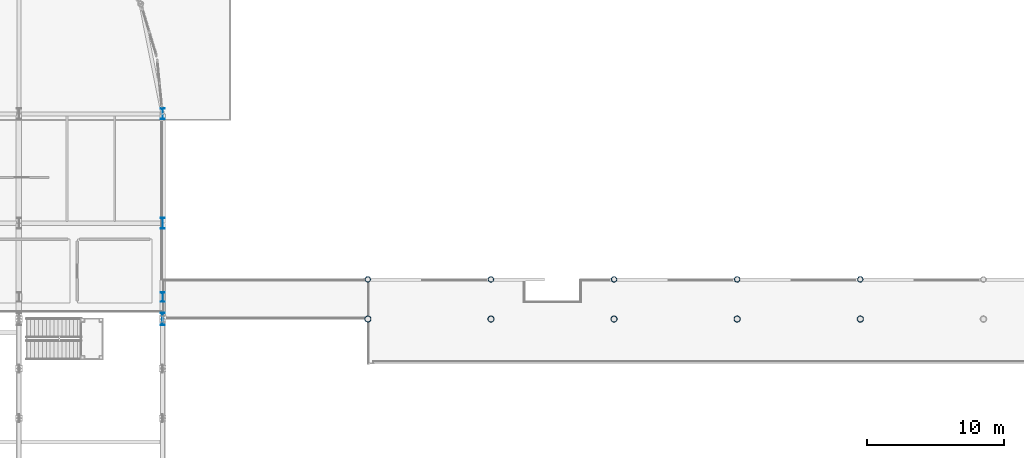
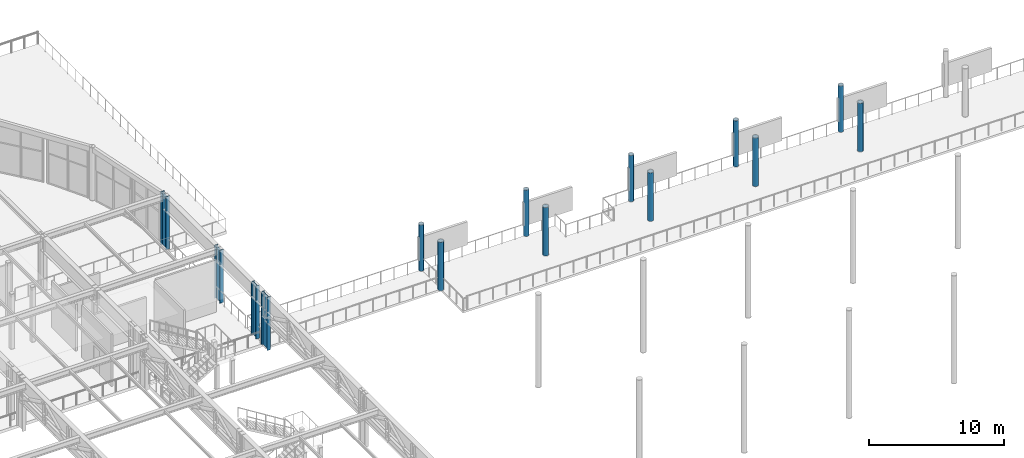
# One storey, part 23 of 143: 14 columns.
"""IFC4 building model written with IfcOpenShell, lengths in metres."""

from ifc_helpers import new_model, si_unit, direction, frame, origin, origin_2d, place, context, subcontext, project, spatial, hollow_circle, i_section, extrude, material, material_profile, profile_set, type_object, element, save


model = new_model("IFC4")

# Units and contexts
model_context = context("Model", 3, precision=1e-05, world=origin(), true_north=direction((0.0, 1.0)))
body_context = subcontext(model_context, "Body", "Model", "MODEL_VIEW")
ifc_project = project(units=[si_unit("LENGTHUNIT", "METRE"), si_unit("AREAUNIT", "SQUARE_METRE"), si_unit("VOLUMEUNIT", "CUBIC_METRE"), si_unit("PLANEANGLEUNIT", "RADIAN"), si_unit("MASSUNIT", "GRAM", prefix="KILO")], contexts=[model_context])

# Site, building, storey
site_placement = place(None, origin())
site = spatial("IfcSite", under=ifc_project, at=site_placement, CompositionType="ELEMENT")
building_placement = place(site_placement, origin())
building = spatial("IfcBuilding", under=site, at=building_placement, Name="Marlcrest Central Station", CompositionType="ELEMENT")
storey_placement = place(building_placement, frame((0.0, 0.0, 4.800048828125)))
storey = spatial("IfcBuildingStorey", under=building, at=storey_placement, Name="L01", CompositionType="ELEMENT", Elevation=4.800048828125)

# Columns
ifc_material = material(Name="Steel S355", Category="steel")
ifc_material_profile_1 = material_profile(ifc_material, i_section(OverallWidth=0.300048828125, OverallDepth=0.699951171875, WebThickness=0.01708984375, FlangeThickness=0.031982421875, FilletRadius=0.027099609375, at=origin_2d()), Name="HEB 700")
ifc_profile_set_1 = profile_set([ifc_material_profile_1], Name="Steel S355")
column_type_1 = type_object("IfcColumnType", Name="SC-07", PredefinedType="COLUMN", material=ifc_profile_set_1)
column_1_placement = place(storey_placement, frame((129.0, 97.10009765625, 0.0), z_axis=(0.0, 0.0, 1.0), x_axis=(1.0, 0.0, 0.0)))
element("IfcColumn", 1, at=column_1_placement, inside=storey, type_object=column_type_1, Name="col-SC-07-L01-0897", PredefinedType="COLUMN", context=body_context, shape_type="SweptSolid", body=[
    extrude(i_section(OverallWidth=0.300048828125, OverallDepth=0.699951171875, WebThickness=0.01708984375, FlangeThickness=0.031982421875, FilletRadius=0.027099609375, at=origin_2d()), origin(), (0.0, 0.0, 1.0), 4.81494140625),
])
ifc_material_profile_2 = material_profile(ifc_material, i_section(OverallWidth=0.300048828125, OverallDepth=0.800048828125, WebThickness=0.017578125, FlangeThickness=0.032958984375, FilletRadius=0.030029296875, at=origin_2d()), Name="HEB 800")
ifc_profile_set_2 = profile_set([ifc_material_profile_2], Name="Steel S355")
column_type_2 = type_object("IfcColumnType", Name="SC-08", PredefinedType="COLUMN", material=ifc_profile_set_2)
for number, where, z_axis, x_axis, name in (
    (2, (129.0, 102.5, 0.0), (0.0, 0.0, 1.0), (1.0, 0.0, 0.0), "col-SC-08-L01-0760"),
    (3, (129.0, 110.5, 0.0), (0.0, 0.0, 1.0), (1.0, 0.0, 0.0), "col-SC-08-L01-0778"),
):
    element("IfcColumn", number, at=place(storey_placement, frame(where, z_axis=z_axis, x_axis=x_axis)), inside=storey, type_object=column_type_2, Name=name, PredefinedType="COLUMN", context=body_context, shape_type="SweptSolid", body=[
        extrude(i_section(OverallWidth=0.300048828125, OverallDepth=0.800048828125, WebThickness=0.017578125, FlangeThickness=0.032958984375, FilletRadius=0.030029296875, at=origin_2d()), origin(), (0.0, 0.0, 1.0), 4.81494140625),
    ])
ifc_material_profile_3 = material_profile(ifc_material, i_section(OverallWidth=0.300048828125, OverallDepth=0.89990234375, WebThickness=0.0185546875, FlangeThickness=0.034912109375, FilletRadius=0.030029296875, at=origin_2d()), Name="HEB 900")
ifc_profile_set_3 = profile_set([ifc_material_profile_3], Name="Steel S355")
column_type_3 = type_object("IfcColumnType", Name="SC-09", PredefinedType="COLUMN", material=ifc_profile_set_3)
column_2_placement = place(storey_placement, frame((129.0, 95.5, 0.0), z_axis=(0.0, 0.0, 1.0), x_axis=(1.0, 0.0, 0.0)))
element("IfcColumn", 4, at=column_2_placement, inside=storey, type_object=column_type_3, Name="col-SC-09-L01-0666", PredefinedType="COLUMN", context=body_context, shape_type="SweptSolid", body=[
    extrude(i_section(OverallWidth=0.300048828125, OverallDepth=0.89990234375, WebThickness=0.0185546875, FlangeThickness=0.034912109375, FilletRadius=0.030029296875, at=origin_2d()), origin(), (0.0, 0.0, 1.0), 4.81494140625),
])
ifc_material_profile_4 = material_profile(ifc_material, hollow_circle(Radius=0.203125, WallThickness=0.02001953125, at=origin_2d()), Name="CHS 406.4x20")
ifc_profile_set_4 = profile_set([ifc_material_profile_4], Name="Steel S355")
column_type_4 = type_object("IfcColumnType", Name="SC-10", PredefinedType="COLUMN", material=ifc_profile_set_4)
for number, where, z_axis, x_axis, name in (
    (5, (144.0, 98.39990234375, 0.0), (0.0, 0.0, 1.0), (1.0, 0.0, 0.0), "col-SC-10-L01-0503"),
    (6, (153.0, 98.39990234375, 0.0), (0.0, 0.0, 1.0), (1.0, 0.0, 0.0), "col-SC-10-L01-0504"),
    (7, (162.0, 98.39990234375, 0.0), (0.0, 0.0, 1.0), (1.0, 0.0, 0.0), "col-SC-10-L01-0505"),
    (8, (171.0, 98.39990234375, 0.0), (0.0, 0.0, 1.0), (1.0, 0.0, 0.0), "col-SC-10-L01-0506"),
    (9, (180.0, 98.39990234375, 0.0), (0.0, 0.0, 1.0), (1.0, 0.0, 0.0), "col-SC-10-L01-0507"),
):
    element("IfcColumn", number, at=place(storey_placement, frame(where, z_axis=z_axis, x_axis=x_axis)), inside=storey, type_object=column_type_4, Name=name, PredefinedType="COLUMN", context=body_context, shape_type="SweptSolid", body=[
        extrude(hollow_circle(Radius=0.203125, WallThickness=0.02001953125, at=origin_2d()), origin(), (0.0, 0.0, 1.0), 4.199951171875),
    ])
ifc_material_profile_5 = material_profile(ifc_material, hollow_circle(Radius=0.228515625, WallThickness=0.02001953125, at=origin_2d()), Name="CHS 457x20")
ifc_profile_set_5 = profile_set([ifc_material_profile_5], Name="Steel S355")
column_type_5 = type_object("IfcColumnType", Name="SC-11", PredefinedType="COLUMN", material=ifc_profile_set_5)
for number, where, z_axis, x_axis, name in (
    (10, (144.0, 95.5, 0.0), (0.0, 0.0, 1.0), (1.0, 0.0, 0.0), "col-SC-11-L01-0521"),
    (11, (153.0, 95.5, 0.0), (0.0, 0.0, 1.0), (1.0, 0.0, 0.0), "col-SC-11-L01-0532"),
    (12, (162.0, 95.5, 0.0), (0.0, 0.0, 1.0), (1.0, 0.0, 0.0), "col-SC-11-L01-0543"),
    (13, (171.0, 95.5, 0.0), (0.0, 0.0, 1.0), (1.0, 0.0, 0.0), "col-SC-11-L01-0554"),
    (14, (180.0, 95.5, 0.0), (0.0, 0.0, 1.0), (1.0, 0.0, 0.0), "col-SC-11-L01-0565"),
):
    element("IfcColumn", number, at=place(storey_placement, frame(where, z_axis=z_axis, x_axis=x_axis)), inside=storey, type_object=column_type_5, Name=name, PredefinedType="COLUMN", context=body_context, shape_type="SweptSolid", body=[
        extrude(hollow_circle(Radius=0.228515625, WallThickness=0.02001953125, at=origin_2d()), origin(), (0.0, 0.0, 1.0), 4.39990234375),
    ])

save(model, "model.ifc")
